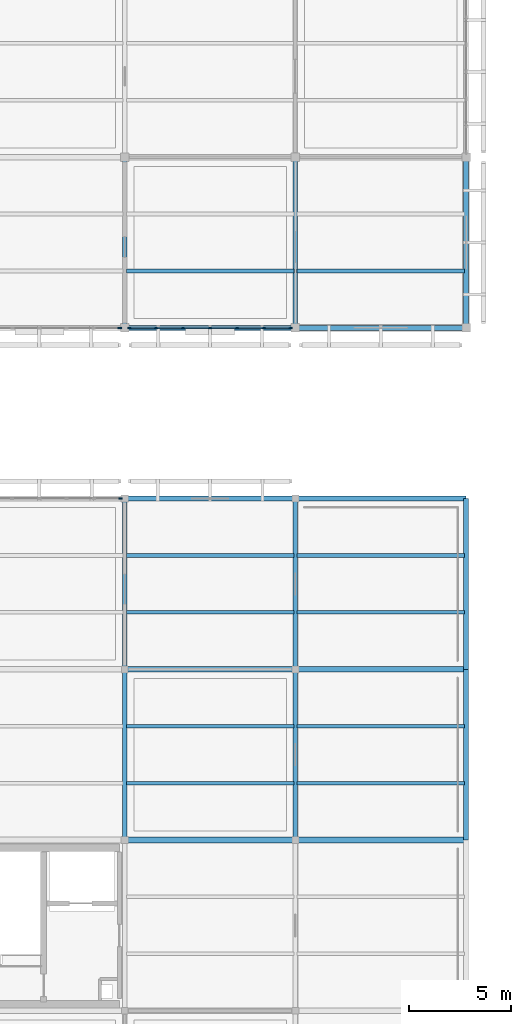
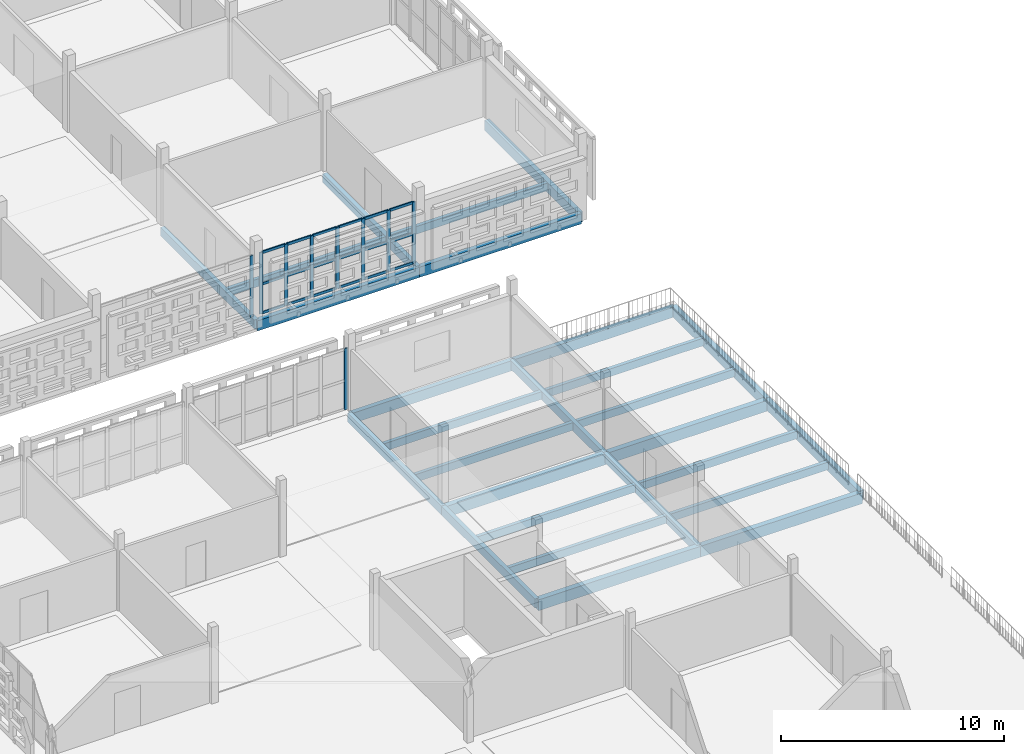
# One storey, part 66 of 166: 27 beams, 27 members, 3 elements without a shape of their own.
"""IFC4 building model written with IfcOpenShell, lengths in metres."""

from ifc_helpers import new_model, si_unit, direction, frame, origin, origin_2d, place, context, subcontext, project, spatial, rectangle, extrude, material, layer, layer_set, material_profile, profile_set, type_object, element, aggregate, save


model = new_model("IFC4")

# Units and contexts
model_context = context("Model", 3, precision=1e-05, world=origin(), true_north=direction((0.0, 1.0)))
body_context = subcontext(model_context, "Body", "Model", "MODEL_VIEW")
ifc_project = project(units=[si_unit("LENGTHUNIT", "METRE"), si_unit("AREAUNIT", "SQUARE_METRE"), si_unit("VOLUMEUNIT", "CUBIC_METRE"), si_unit("PLANEANGLEUNIT", "RADIAN"), si_unit("MASSUNIT", "GRAM", prefix="KILO")], contexts=[model_context])

# Site, building, storey
site_placement = place(None, origin())
site = spatial("IfcSite", under=ifc_project, at=site_placement, CompositionType="ELEMENT")
building_placement = place(site_placement, origin())
building = spatial("IfcBuilding", under=site, at=building_placement, Name="Varnapada Polytechnic", CompositionType="ELEMENT")
storey_placement = place(building_placement, frame((0.0, 0.0, 9.60009765625)))
storey = spatial("IfcBuildingStorey", under=building, at=storey_placement, Name="L02", CompositionType="ELEMENT", Elevation=9.60009765625)

# Curtain wall, member
ifc_material_1 = material(Name="Double low-E laminated glass", Category="glass")
ifc_layer = layer(ifc_material_1, 0.179931640625)
ifc_layer_set = layer_set([ifc_layer], Name="Double low-E laminated glass")
curtain_wall_type = type_object("IfcCurtainWallType", Name="Curtain Wall CW-04", PredefinedType="NOTDEFINED", material=ifc_layer_set)
curtain_wall_1_placement = place(storey_placement, origin())
curtain_wall_1 = element("IfcCurtainWall", 1, at=curtain_wall_1_placement, inside=storey, type_object=curtain_wall_type, Name="L02 unitised curtain wall CW-04 (195)", PredefinedType="NOTDEFINED")
ifc_material_2 = material(Name="Anodised aluminium", Category="aluminium")
ifc_material_profile_1 = material_profile(ifc_material_2, rectangle(XDim=0.06494140625, YDim=0.179931640625, at=origin_2d()), Name="ALU M65x180")
ifc_profile_set_1 = profile_set([ifc_material_profile_1], Name="Anodised aluminium")
member_type_1 = type_object("IfcMemberType", Name="Mullion M-02", PredefinedType="MULLION", material=ifc_profile_set_1)
member_1_placement = place(storey_placement, frame((159.387451171875, 50.39990234375, 0.0), z_axis=(0.0, 0.0, 1.0), x_axis=(0.0, 1.0, 0.0)))
member_1 = element("IfcMember", 2, at=member_1_placement, type_object=member_type_1, Name="CW-04 mullion 7", PredefinedType="MULLION", context=body_context, shape_type="SweptSolid", body=[
    extrude(rectangle(XDim=0.06494140625, YDim=0.179931640625, at=origin_2d()), origin(), (0.0, 0.0, 1.0), 3.35986328125),
])
aggregate(curtain_wall_1, [member_1])

curtain_wall_2_placement = place(storey_placement, origin())
curtain_wall_2 = element("IfcCurtainWall", 3, at=curtain_wall_2_placement, inside=storey, type_object=curtain_wall_type, Name="L02 unitised curtain wall CW-04 (196)", PredefinedType="NOTDEFINED")
member_2_placement = place(storey_placement, frame((159.357421875, 58.800048828125, 0.0), z_axis=(0.0, 0.0, 1.0), x_axis=(0.0, -1.0, 0.0)))
member_2 = element("IfcMember", 4, at=member_2_placement, type_object=member_type_1, Name="CW-04 mullion 1", PredefinedType="MULLION", context=body_context, shape_type="SweptSolid", body=[
    extrude(rectangle(XDim=0.06494140625, YDim=0.179931640625, at=origin_2d()), origin(), (0.0, 0.0, 1.0), 3.35986328125),
])
aggregate(curtain_wall_2, [member_2])

# Curtain wall, members
curtain_wall_3_placement = place(storey_placement, origin())
curtain_wall_3 = element("IfcCurtainWall", 5, at=curtain_wall_3_placement, inside=storey, type_object=curtain_wall_type, Name="L02 unitised curtain wall CW-04 (199)", PredefinedType="NOTDEFINED")
member_3_placement = place(storey_placement, frame((167.757568359375, 58.800048828125, 0.0), z_axis=(0.0, 0.0, 1.0), x_axis=(0.0, -1.0, 0.0)))
member_3 = element("IfcMember", 6, at=member_3_placement, type_object=member_type_1, Name="CW-04 mullion 1", PredefinedType="MULLION", context=body_context, shape_type="SweptSolid", body=[
    extrude(rectangle(XDim=0.06494140625, YDim=0.179931640625, at=origin_2d()), origin(), (0.0, 0.0, 1.0), 3.35986328125),
])
member_4_placement = place(storey_placement, frame((166.4599609375, 58.800048828125, 0.0), z_axis=(0.0, 0.0, 1.0), x_axis=(0.0, -1.0, 0.0)))
member_4 = element("IfcMember", 7, at=member_4_placement, type_object=member_type_1, Name="CW-04 mullion 2", PredefinedType="MULLION", context=body_context, shape_type="SweptSolid", body=[
    extrude(rectangle(XDim=0.06494140625, YDim=0.179931640625, at=origin_2d()), origin(), (0.0, 0.0, 1.0), 3.35986328125),
])
member_5_placement = place(storey_placement, frame((165.1298828125, 58.800048828125, 0.0), z_axis=(0.0, 0.0, 1.0), x_axis=(0.0, -1.0, 0.0)))
member_5 = element("IfcMember", 8, at=member_5_placement, type_object=member_type_1, Name="CW-04 mullion 3", PredefinedType="MULLION", context=body_context, shape_type="SweptSolid", body=[
    extrude(rectangle(XDim=0.06494140625, YDim=0.179931640625, at=origin_2d()), origin(), (0.0, 0.0, 1.0), 3.35986328125),
])
member_6_placement = place(storey_placement, frame((163.800048828125, 58.800048828125, 0.0), z_axis=(0.0, 0.0, 1.0), x_axis=(0.0, -1.0, 0.0)))
member_6 = element("IfcMember", 9, at=member_6_placement, type_object=member_type_1, Name="CW-04 mullion 4", PredefinedType="MULLION", context=body_context, shape_type="SweptSolid", body=[
    extrude(rectangle(XDim=0.06494140625, YDim=0.179931640625, at=origin_2d()), origin(), (0.0, 0.0, 1.0), 3.35986328125),
])
member_7_placement = place(storey_placement, frame((162.469970703125, 58.800048828125, 0.0), z_axis=(0.0, 0.0, 1.0), x_axis=(0.0, -1.0, 0.0)))
member_7 = element("IfcMember", 10, at=member_7_placement, type_object=member_type_1, Name="CW-04 mullion 5", PredefinedType="MULLION", context=body_context, shape_type="SweptSolid", body=[
    extrude(rectangle(XDim=0.06494140625, YDim=0.179931640625, at=origin_2d()), origin(), (0.0, 0.0, 1.0), 3.35986328125),
])
member_8_placement = place(storey_placement, frame((161.139892578125, 58.800048828125, 0.0), z_axis=(0.0, 0.0, 1.0), x_axis=(0.0, -1.0, 0.0)))
member_8 = element("IfcMember", 11, at=member_8_placement, type_object=member_type_1, Name="CW-04 mullion 6", PredefinedType="MULLION", context=body_context, shape_type="SweptSolid", body=[
    extrude(rectangle(XDim=0.06494140625, YDim=0.179931640625, at=origin_2d()), origin(), (0.0, 0.0, 1.0), 3.35986328125),
])
member_9_placement = place(storey_placement, frame((159.842529296875, 58.800048828125, 0.0), z_axis=(0.0, 0.0, 1.0), x_axis=(0.0, -1.0, 0.0)))
member_9 = element("IfcMember", 12, at=member_9_placement, type_object=member_type_1, Name="CW-04 mullion 7", PredefinedType="MULLION", context=body_context, shape_type="SweptSolid", body=[
    extrude(rectangle(XDim=0.06494140625, YDim=0.179931640625, at=origin_2d()), origin(), (0.0, 0.0, 1.0), 3.35986328125),
])

# Beams
ifc_material_3 = material(Name="Glulam GL32h", Category="wood")
ifc_material_profile_2 = material_profile(ifc_material_3, rectangle(XDim=0.239990234375, YDim=0.56005859375, at=origin_2d()), Name="GL 240x560")
ifc_profile_set_2 = profile_set([ifc_material_profile_2], Name="Glulam GL32h")
beam_type_1 = type_object("IfcBeamType", Name="Perimeter glulam spandrel beam SP-02 (GL 240x560)", PredefinedType="SPANDREL", material=ifc_profile_set_2)
for number, where, z_axis, x_axis, name in (
    (13, (159.60009765625, 50.39990234375, -0.530029296875), (1.0, 0.0, 0.0), (0.0, 1.0, 0.0), "L02 beam X 20-21 at Y7"),
    (14, (159.60009765625, 58.800048828125, -0.530029296875), (1.0, 0.0, 0.0), (0.0, 1.0, 0.0), "L02 beam X 20-21 at Y8"),
    (15, (168.0, 50.39990234375, -0.530029296875), (1.0, 0.0, 0.0), (0.0, 1.0, 0.0), "L02 beam X 21-22 at Y7"),
    (16, (168.0, 58.800048828125, -0.530029296875), (1.0, 0.0, 0.0), (0.0, 1.0, 0.0), "L02 beam X 21-22 at Y8"),
    (17, (176.39990234375, 33.60009765625, -0.510009765625), (0.0, 1.0, 0.0), (-1.0, 0.0, 0.0), "L02 beam Y 5-6 at X22"),
    (18, (176.39990234375, 42.0, -0.510009765625), (0.0, 1.0, 0.0), (-1.0, 0.0, 0.0), "L02 beam Y 6-7 at X22"),
    (19, (176.39990234375, 58.800048828125, -0.530029296875), (0.0, 1.0, 0.0), (-1.0, 0.0, 0.0), "L02 beam Y 8-9 at X22"),
):
    element("IfcBeam", number, at=place(storey_placement, frame(where, z_axis=z_axis, x_axis=x_axis)), inside=storey, type_object=beam_type_1, Name=name, PredefinedType="SPANDREL", context=body_context, shape_type="SweptSolid", body=[
        extrude(rectangle(XDim=0.239990234375, YDim=0.56005859375, at=origin_2d()), origin(), (0.0, 0.0, 1.0), 8.39990234375),
    ])
ifc_material_profile_3 = material_profile(ifc_material_3, rectangle(XDim=0.280029296875, YDim=0.60009765625, at=origin_2d()), Name="GL 280x600")
ifc_profile_set_3 = profile_set([ifc_material_profile_3], Name="Glulam GL32h")
beam_type_2 = type_object("IfcBeamType", Name="Reading hall glulam girder GG-08 (GL 280x600)", PredefinedType="BEAM", material=ifc_profile_set_3)
for number, where, z_axis, x_axis, name in (
    (20, (159.60009765625, 33.60009765625, -0.550048828125), (1.0, 0.0, 0.0), (0.0, 1.0, 0.0), "L02 beam X 20-21 at Y5"),
    (21, (159.60009765625, 42.0, -0.550048828125), (1.0, 0.0, 0.0), (0.0, 1.0, 0.0), "L02 beam X 20-21 at Y6"),
    (22, (168.0, 33.60009765625, -0.550048828125), (1.0, 0.0, 0.0), (0.0, 1.0, 0.0), "L02 beam X 21-22 at Y5"),
    (23, (168.0, 42.0, -0.550048828125), (1.0, 0.0, 0.0), (0.0, 1.0, 0.0), "L02 beam X 21-22 at Y6"),
):
    element("IfcBeam", number, at=place(storey_placement, frame(where, z_axis=z_axis, x_axis=x_axis)), inside=storey, type_object=beam_type_2, Name=name, PredefinedType="BEAM", context=body_context, shape_type="SweptSolid", body=[
        extrude(rectangle(XDim=0.280029296875, YDim=0.60009765625, at=origin_2d()), origin(), (0.0, 0.0, 1.0), 8.39990234375),
    ])
ifc_material_profile_4 = material_profile(ifc_material_3, rectangle(XDim=0.179931640625, YDim=0.419921875, at=origin_2d()), Name="GL 180x420")
ifc_profile_set_4 = profile_set([ifc_material_profile_4], Name="Glulam GL32h")
beam_type_3 = type_object("IfcBeamType", Name="Reading hall glulam joist GJ-04 (GL 180x420)", PredefinedType="JOIST", material=ifc_profile_set_4)
for number, where, z_axis, x_axis, name in (
    (24, (159.679931640625, 36.39990234375, -0.460205078125), (1.0, 0.0, 0.0), (0.0, 1.0, 0.0), "L02 floor joist 20/5.1"),
    (25, (159.679931640625, 39.199951171875, -0.460205078125), (1.0, 0.0, 0.0), (0.0, 1.0, 0.0), "L02 floor joist 20/5.2"),
    (26, (159.679931640625, 44.800048828125, -0.460205078125), (1.0, 0.0, 0.0), (0.0, 1.0, 0.0), "L02 floor joist 20/6.1"),
    (27, (159.679931640625, 47.60009765625, -0.460205078125), (1.0, 0.0, 0.0), (0.0, 1.0, 0.0), "L02 floor joist 20/6.2"),
    (28, (159.679931640625, 61.60009765625, -0.460205078125), (1.0, 0.0, 0.0), (0.0, 1.0, 0.0), "L02 floor joist 20/8.1"),
    (29, (168.080078125, 36.39990234375, -0.460205078125), (1.0, 0.0, 0.0), (0.0, 1.0, 0.0), "L02 floor joist 21/5.1"),
    (30, (168.080078125, 39.199951171875, -0.460205078125), (1.0, 0.0, 0.0), (0.0, 1.0, 0.0), "L02 floor joist 21/5.2"),
    (31, (168.080078125, 44.800048828125, -0.460205078125), (1.0, 0.0, 0.0), (0.0, 1.0, 0.0), "L02 floor joist 21/6.1"),
    (32, (168.080078125, 47.60009765625, -0.460205078125), (1.0, 0.0, 0.0), (0.0, 1.0, 0.0), "L02 floor joist 21/6.2"),
    (33, (168.080078125, 61.60009765625, -0.460205078125), (1.0, 0.0, 0.0), (0.0, 1.0, 0.0), "L02 floor joist 21/8.1"),
):
    element("IfcBeam", number, at=place(storey_placement, frame(where, z_axis=z_axis, x_axis=x_axis)), inside=storey, type_object=beam_type_3, Name=name, PredefinedType="JOIST", context=body_context, shape_type="SweptSolid", body=[
        extrude(rectangle(XDim=0.179931640625, YDim=0.419921875, at=origin_2d()), origin(), (0.0, 0.0, 1.0), 8.239990234375),
    ])

# Member
ifc_material_profile_5 = material_profile(ifc_material_2, rectangle(XDim=0.06494140625, YDim=0.139892578125, at=origin_2d()), Name="ALU T65x140")
ifc_profile_set_5 = profile_set([ifc_material_profile_5], Name="Anodised aluminium")
member_type_2 = type_object("IfcMemberType", Name="Transom T-02", PredefinedType="USERDEFINED", material=ifc_profile_set_5)
member_10_placement = place(storey_placement, frame((167.72509765625, 58.800048828125, 0.032470703125), z_axis=(-1.0, 0.0, 0.0), x_axis=(0.0, -1.0, 0.0)))
member_10 = element("IfcMember", 34, at=member_10_placement, type_object=member_type_2, Name="CW-04 transom 1.1", ObjectType="TRANSOM", PredefinedType="USERDEFINED", context=body_context, shape_type="SweptSolid", body=[
    extrude(rectangle(XDim=0.06494140625, YDim=0.139892578125, at=origin_2d()), origin(), (0.0, 0.0, 1.0), 1.232666015625),
])

member_11_placement = place(storey_placement, frame((167.72509765625, 58.800048828125, 1.61279296875), z_axis=(-1.0, 0.0, 0.0), x_axis=(0.0, -1.0, 0.0)))
member_11 = element("IfcMember", 35, at=member_11_placement, type_object=member_type_2, Name="CW-04 transom 1.2", ObjectType="TRANSOM", PredefinedType="USERDEFINED", context=body_context, shape_type="SweptSolid", body=[
    extrude(rectangle(XDim=0.06494140625, YDim=0.139892578125, at=origin_2d()), origin(), (0.0, 0.0, 1.0), 1.232666015625),
])

member_12_placement = place(storey_placement, frame((167.72509765625, 58.800048828125, 3.327392578125), z_axis=(-1.0, 0.0, 0.0), x_axis=(0.0, -1.0, 0.0)))
member_12 = element("IfcMember", 36, at=member_12_placement, type_object=member_type_2, Name="CW-04 transom 1.3", ObjectType="TRANSOM", PredefinedType="USERDEFINED", context=body_context, shape_type="SweptSolid", body=[
    extrude(rectangle(XDim=0.06494140625, YDim=0.139892578125, at=origin_2d()), origin(), (0.0, 0.0, 1.0), 1.232666015625),
])

member_13_placement = place(storey_placement, frame((166.427490234375, 58.800048828125, 0.032470703125), z_axis=(-1.0, 0.0, 0.0), x_axis=(0.0, -1.0, 0.0)))
member_13 = element("IfcMember", 37, at=member_13_placement, type_object=member_type_2, Name="CW-04 transom 2.1", ObjectType="TRANSOM", PredefinedType="USERDEFINED", context=body_context, shape_type="SweptSolid", body=[
    extrude(rectangle(XDim=0.06494140625, YDim=0.139892578125, at=origin_2d()), origin(), (0.0, 0.0, 1.0), 1.264892578125),
])

member_14_placement = place(storey_placement, frame((166.427490234375, 58.800048828125, 1.61279296875), z_axis=(-1.0, 0.0, 0.0), x_axis=(0.0, -1.0, 0.0)))
member_14 = element("IfcMember", 38, at=member_14_placement, type_object=member_type_2, Name="CW-04 transom 2.2", ObjectType="TRANSOM", PredefinedType="USERDEFINED", context=body_context, shape_type="SweptSolid", body=[
    extrude(rectangle(XDim=0.06494140625, YDim=0.139892578125, at=origin_2d()), origin(), (0.0, 0.0, 1.0), 1.264892578125),
])

member_15_placement = place(storey_placement, frame((166.427490234375, 58.800048828125, 3.327392578125), z_axis=(-1.0, 0.0, 0.0), x_axis=(0.0, -1.0, 0.0)))
member_15 = element("IfcMember", 39, at=member_15_placement, type_object=member_type_2, Name="CW-04 transom 2.3", ObjectType="TRANSOM", PredefinedType="USERDEFINED", context=body_context, shape_type="SweptSolid", body=[
    extrude(rectangle(XDim=0.06494140625, YDim=0.139892578125, at=origin_2d()), origin(), (0.0, 0.0, 1.0), 1.264892578125),
])

member_16_placement = place(storey_placement, frame((165.097412109375, 58.800048828125, 0.032470703125), z_axis=(-1.0, 0.0, 0.0), x_axis=(0.0, -1.0, 0.0)))
member_16 = element("IfcMember", 40, at=member_16_placement, type_object=member_type_2, Name="CW-04 transom 3.1", ObjectType="TRANSOM", PredefinedType="USERDEFINED", context=body_context, shape_type="SweptSolid", body=[
    extrude(rectangle(XDim=0.06494140625, YDim=0.139892578125, at=origin_2d()), origin(), (0.0, 0.0, 1.0), 1.264892578125),
])

member_17_placement = place(storey_placement, frame((165.097412109375, 58.800048828125, 1.61279296875), z_axis=(-1.0, 0.0, 0.0), x_axis=(0.0, -1.0, 0.0)))
member_17 = element("IfcMember", 41, at=member_17_placement, type_object=member_type_2, Name="CW-04 transom 3.2", ObjectType="TRANSOM", PredefinedType="USERDEFINED", context=body_context, shape_type="SweptSolid", body=[
    extrude(rectangle(XDim=0.06494140625, YDim=0.139892578125, at=origin_2d()), origin(), (0.0, 0.0, 1.0), 1.264892578125),
])

member_18_placement = place(storey_placement, frame((165.097412109375, 58.800048828125, 3.327392578125), z_axis=(-1.0, 0.0, 0.0), x_axis=(0.0, -1.0, 0.0)))
member_18 = element("IfcMember", 42, at=member_18_placement, type_object=member_type_2, Name="CW-04 transom 3.3", ObjectType="TRANSOM", PredefinedType="USERDEFINED", context=body_context, shape_type="SweptSolid", body=[
    extrude(rectangle(XDim=0.06494140625, YDim=0.139892578125, at=origin_2d()), origin(), (0.0, 0.0, 1.0), 1.264892578125),
])

member_19_placement = place(storey_placement, frame((163.767578125, 58.800048828125, 0.032470703125), z_axis=(-1.0, 0.0, 0.0), x_axis=(0.0, -1.0, 0.0)))
member_19 = element("IfcMember", 43, at=member_19_placement, type_object=member_type_2, Name="CW-04 transom 4.1", ObjectType="TRANSOM", PredefinedType="USERDEFINED", context=body_context, shape_type="SweptSolid", body=[
    extrude(rectangle(XDim=0.06494140625, YDim=0.139892578125, at=origin_2d()), origin(), (0.0, 0.0, 1.0), 1.26513671875),
])

member_20_placement = place(storey_placement, frame((163.767578125, 58.800048828125, 1.61279296875), z_axis=(-1.0, 0.0, 0.0), x_axis=(0.0, -1.0, 0.0)))
member_20 = element("IfcMember", 44, at=member_20_placement, type_object=member_type_2, Name="CW-04 transom 4.2", ObjectType="TRANSOM", PredefinedType="USERDEFINED", context=body_context, shape_type="SweptSolid", body=[
    extrude(rectangle(XDim=0.06494140625, YDim=0.139892578125, at=origin_2d()), origin(), (0.0, 0.0, 1.0), 1.26513671875),
])

member_21_placement = place(storey_placement, frame((163.767578125, 58.800048828125, 3.327392578125), z_axis=(-1.0, 0.0, 0.0), x_axis=(0.0, -1.0, 0.0)))
member_21 = element("IfcMember", 45, at=member_21_placement, type_object=member_type_2, Name="CW-04 transom 4.3", ObjectType="TRANSOM", PredefinedType="USERDEFINED", context=body_context, shape_type="SweptSolid", body=[
    extrude(rectangle(XDim=0.06494140625, YDim=0.139892578125, at=origin_2d()), origin(), (0.0, 0.0, 1.0), 1.26513671875),
])

member_22_placement = place(storey_placement, frame((162.4375, 58.800048828125, 0.032470703125), z_axis=(-1.0, 0.0, 0.0), x_axis=(0.0, -1.0, 0.0)))
member_22 = element("IfcMember", 46, at=member_22_placement, type_object=member_type_2, Name="CW-04 transom 5.1", ObjectType="TRANSOM", PredefinedType="USERDEFINED", context=body_context, shape_type="SweptSolid", body=[
    extrude(rectangle(XDim=0.06494140625, YDim=0.139892578125, at=origin_2d()), origin(), (0.0, 0.0, 1.0), 1.264892578125),
])

member_23_placement = place(storey_placement, frame((162.4375, 58.800048828125, 1.61279296875), z_axis=(-1.0, 0.0, 0.0), x_axis=(0.0, -1.0, 0.0)))
member_23 = element("IfcMember", 47, at=member_23_placement, type_object=member_type_2, Name="CW-04 transom 5.2", ObjectType="TRANSOM", PredefinedType="USERDEFINED", context=body_context, shape_type="SweptSolid", body=[
    extrude(rectangle(XDim=0.06494140625, YDim=0.139892578125, at=origin_2d()), origin(), (0.0, 0.0, 1.0), 1.264892578125),
])

member_24_placement = place(storey_placement, frame((162.4375, 58.800048828125, 3.327392578125), z_axis=(-1.0, 0.0, 0.0), x_axis=(0.0, -1.0, 0.0)))
member_24 = element("IfcMember", 48, at=member_24_placement, type_object=member_type_2, Name="CW-04 transom 5.3", ObjectType="TRANSOM", PredefinedType="USERDEFINED", context=body_context, shape_type="SweptSolid", body=[
    extrude(rectangle(XDim=0.06494140625, YDim=0.139892578125, at=origin_2d()), origin(), (0.0, 0.0, 1.0), 1.264892578125),
])

member_25_placement = place(storey_placement, frame((161.107421875, 58.800048828125, 0.032470703125), z_axis=(-1.0, 0.0, 0.0), x_axis=(0.0, -1.0, 0.0)))
member_25 = element("IfcMember", 49, at=member_25_placement, type_object=member_type_2, Name="CW-04 transom 6.1", ObjectType="TRANSOM", PredefinedType="USERDEFINED", context=body_context, shape_type="SweptSolid", body=[
    extrude(rectangle(XDim=0.06494140625, YDim=0.139892578125, at=origin_2d()), origin(), (0.0, 0.0, 1.0), 1.232421875),
])

member_26_placement = place(storey_placement, frame((161.107421875, 58.800048828125, 1.61279296875), z_axis=(-1.0, 0.0, 0.0), x_axis=(0.0, -1.0, 0.0)))
member_26 = element("IfcMember", 50, at=member_26_placement, type_object=member_type_2, Name="CW-04 transom 6.2", ObjectType="TRANSOM", PredefinedType="USERDEFINED", context=body_context, shape_type="SweptSolid", body=[
    extrude(rectangle(XDim=0.06494140625, YDim=0.139892578125, at=origin_2d()), origin(), (0.0, 0.0, 1.0), 1.232421875),
])

member_27_placement = place(storey_placement, frame((161.107421875, 58.800048828125, 3.327392578125), z_axis=(-1.0, 0.0, 0.0), x_axis=(0.0, -1.0, 0.0)))
member_27 = element("IfcMember", 51, at=member_27_placement, type_object=member_type_2, Name="CW-04 transom 6.3", ObjectType="TRANSOM", PredefinedType="USERDEFINED", context=body_context, shape_type="SweptSolid", body=[
    extrude(rectangle(XDim=0.06494140625, YDim=0.139892578125, at=origin_2d()), origin(), (0.0, 0.0, 1.0), 1.232421875),
])

aggregate(curtain_wall_3, [member_3, member_4, member_5, member_6, member_7, member_8, member_9, member_10, member_11, member_12, member_13, member_14, member_15, member_16, member_17, member_18, member_19, member_20, member_21, member_22, member_23, member_24, member_25, member_26, member_27])

# Beams
ifc_material_profile_6 = material_profile(ifc_material_3, rectangle(XDim=0.219970703125, YDim=0.47998046875, at=origin_2d()), Name="GL 220x480")
ifc_profile_set_6 = profile_set([ifc_material_profile_6], Name="Glulam GL32h")
beam_type_4 = type_object("IfcBeamType", Name="Upper floor glulam tie beam GB-11 (GL 220x480)", PredefinedType="BEAM", material=ifc_profile_set_6)
for number, where, z_axis, x_axis, name in (
    (52, (159.60009765625, 33.60009765625, -0.489990234375), (0.0, 1.0, 0.0), (-1.0, 0.0, 0.0), "L02 beam Y 5-6 at X20"),
    (53, (159.60009765625, 42.0, -0.489990234375), (0.0, 1.0, 0.0), (-1.0, 0.0, 0.0), "L02 beam Y 6-7 at X20"),
    (54, (159.60009765625, 58.800048828125, -0.489990234375), (0.0, 1.0, 0.0), (-1.0, 0.0, 0.0), "L02 beam Y 8-9 at X20"),
    (55, (168.0, 33.60009765625, -0.489990234375), (0.0, 1.0, 0.0), (-1.0, 0.0, 0.0), "L02 beam Y 5-6 at X21"),
    (56, (168.0, 42.0, -0.489990234375), (0.0, 1.0, 0.0), (-1.0, 0.0, 0.0), "L02 beam Y 6-7 at X21"),
    (57, (168.0, 58.800048828125, -0.489990234375), (0.0, 1.0, 0.0), (-1.0, 0.0, 0.0), "L02 beam Y 8-9 at X21"),
):
    element("IfcBeam", number, at=place(storey_placement, frame(where, z_axis=z_axis, x_axis=x_axis)), inside=storey, type_object=beam_type_4, Name=name, PredefinedType="BEAM", context=body_context, shape_type="SweptSolid", body=[
        extrude(rectangle(XDim=0.219970703125, YDim=0.47998046875, at=origin_2d()), origin(), (0.0, 0.0, 1.0), 8.39990234375),
    ])

save(model, "model.ifc")
